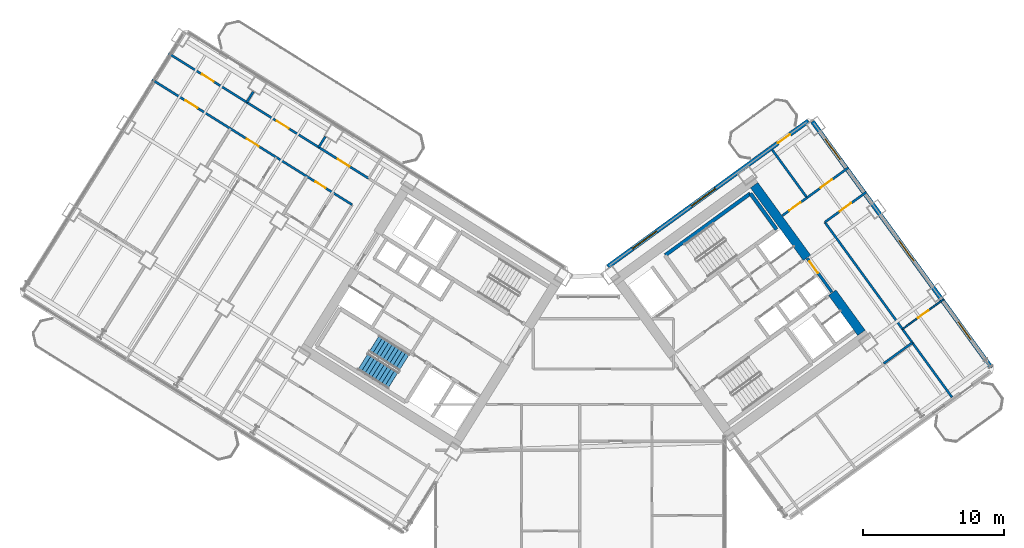
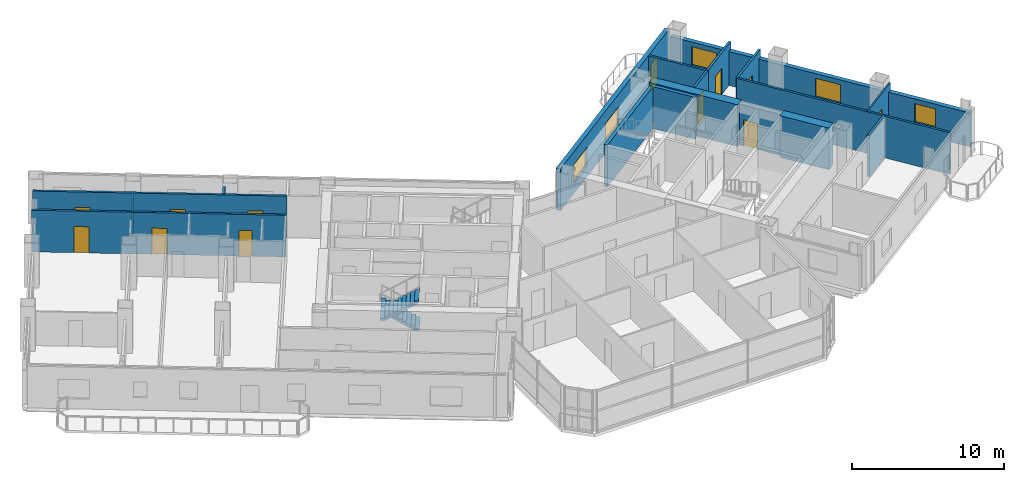
# One storey, part 19 of 28: 18 walls, 12 doors, 5 windows, 2 stair flights, 17 openings, 1 element without a shape of its own.
"""IFC4 building model written with IfcOpenShell, lengths in metres."""

from ifc_helpers import new_model, si_unit, direction, frame, frame_2d, origin, place, context, subcontext, project, spatial, polyline, rectangle, outline, extrude, source, transform, mapped, material, layer, layer_set, type_object, element, fill, aggregate, save


model = new_model("IFC4")

# Units and contexts
model_context = context("Model", 3, precision=1e-05, world=origin(), true_north=direction((0.0, 1.0)))
body_context = subcontext(model_context, "Body", "Model", "MODEL_VIEW")
ifc_project = project(units=[si_unit("LENGTHUNIT", "METRE"), si_unit("AREAUNIT", "SQUARE_METRE"), si_unit("VOLUMEUNIT", "CUBIC_METRE"), si_unit("PLANEANGLEUNIT", "RADIAN"), si_unit("MASSUNIT", "GRAM", prefix="KILO")], contexts=[model_context])

# Site, building, storey
site_placement = place(None, origin())
site = spatial("IfcSite", under=ifc_project, at=site_placement, CompositionType="ELEMENT")
building_placement = place(site_placement, origin())
building = spatial("IfcBuilding", under=site, at=building_placement, Name="Tlacorven Tower", CompositionType="ELEMENT")
storey_placement = place(building_placement, frame((0.0, 0.0, 34.800048828125)))
storey = spatial("IfcBuildingStorey", under=building, at=storey_placement, Name="L08", CompositionType="ELEMENT", Elevation=34.800048828125)

# Walls
ifc_material_1 = material(Name="Concrete C60/75", Category="concrete")
ifc_layer_1 = layer(ifc_material_1, 0.64990234375)
ifc_layer_set_1 = layer_set([ifc_layer_1], Name="Concrete C60/75")
wall_type_1 = type_object("IfcWallType", Name="WL-COR-650", PredefinedType="SHEAR", material=ifc_layer_set_1)
wall_1_placement = place(storey_placement, frame((61.9287109375, 20.494384765625, 0.0), z_axis=(0.0, 0.0, 1.0), x_axis=(-0.58782982593, 0.808984607855, 0.0)))
element("IfcWall", 1, at=wall_1_placement, inside=storey, type_object=wall_type_1, Name="L08 E core end wall E2.1", PredefinedType="SHEAR", context=body_context, shape_type="SweptSolid", body=[
    extrude(rectangle(XDim=3.52490234375, YDim=0.64990234375, at=frame_2d((1.762451171875, 0.0))), origin(), (0.0, 0.0, 1.0), 3.349853515625),
])
wall_2_placement = place(storey_placement, frame((58.06396484375, 25.8134765625, 0.0), z_axis=(0.0, 0.0, 1.0), x_axis=(-0.58777996584, 0.809020835181, 0.0)))
element("IfcWall", 2, at=wall_2_placement, inside=storey, type_object=wall_type_1, Name="L08 E core end wall E2.2", PredefinedType="SHEAR", context=body_context, shape_type="SweptSolid", body=[
    extrude(rectangle(XDim=6.375, YDim=0.64990234375, at=frame_2d((3.1875, 0.0))), origin(), (0.0, 0.0, 1.0), 3.349853515625),
])

# Wall, openings, doors
ifc_material_2 = material(Name="Gypsum plasterboard acoustic partition", Category="gypsum")
ifc_layer_2 = layer(ifc_material_2, 0.159912109375)
ifc_layer_set_2 = layer_set([ifc_layer_2], Name="Gypsum plasterboard acoustic partition")
wall_type_2 = type_object("IfcWallType", Name="WL-DEM-160", PredefinedType="PARTITIONING", material=ifc_layer_set_2)
wall_3_placement = place(storey_placement, frame((26.97265625, 31.447265625, 0.0), z_axis=(0.0, 0.0, 1.0), x_axis=(-0.848048310262, 0.529918921593, 0.0)))
wall_3 = element("IfcWall", 3, at=wall_3_placement, inside=storey, type_object=wall_type_2, Name="L08 Wing W Corridor South Wall", PredefinedType="PARTITIONING", context=body_context, shape_type="SweptSolid", body=[
    extrude(rectangle(XDim=16.72998046875, YDim=0.159912109375, at=frame_2d((8.364990234375, 0.0))), origin(), (0.0, 0.0, 1.0), 3.33984375),
])
opening_1_placement = place(wall_3_placement, frame((1.58837890625, 0.0, 0.0)))
opening_1 = element("IfcOpeningElement", 4, at=opening_1_placement, cuts=wall_3, Name="Opening D11", PredefinedType="OPENING", context=body_context, shape_type="SweptSolid", body=[
    extrude(rectangle(XDim=1.0, YDim=2.10009765625, at=frame_2d((0.5, 1.050048828125))), frame((0.0, 0.08984375, 0.0), z_axis=(0.0, -1.0, 0.0), x_axis=(1.0, 0.0, 0.0)), (0.0, 0.0, 1.0), 0.179931640625),
])
opening_2_placement = place(wall_3_placement, frame((6.68505859375, 0.0, 0.0)))
opening_2 = element("IfcOpeningElement", 5, at=opening_2_placement, cuts=wall_3, Name="Opening D11", PredefinedType="OPENING", context=body_context, shape_type="SweptSolid", body=[
    extrude(rectangle(XDim=1.0, YDim=2.10009765625, at=frame_2d((0.5, 1.050048828125))), frame((0.0, 0.08984375, 0.0), z_axis=(0.0, -1.0, 0.0), x_axis=(1.0, 0.0, 0.0)), (0.0, 0.0, 1.0), 0.179931640625),
])
opening_3_placement = place(wall_3_placement, frame((12.951416015625, 0.0, 0.0)))
opening_3 = element("IfcOpeningElement", 6, at=opening_3_placement, cuts=wall_3, Name="Opening D11", PredefinedType="OPENING", context=body_context, shape_type="SweptSolid", body=[
    extrude(rectangle(XDim=1.0, YDim=2.10009765625, at=frame_2d((0.5, 1.050048828125))), frame((0.0, 0.08984375, 0.0), z_axis=(0.0, -1.0, 0.0), x_axis=(1.0, 0.0, 0.0)), (0.0, 0.0, 1.0), 0.179931640625),
])
ifc_material_3 = material(Name="Fire-rated steel door assembly", Category="steel")
door_type_1 = type_object("IfcDoorType", Name="DR-FLT-FD60-1000", OperationType="NOTDEFINED", PredefinedType="DOOR", material=ifc_material_3)
shared_shape_1 = source(origin(), body_context, "Body", "SweptSolid", [
    extrude(rectangle(XDim=1.0, YDim=2.10009765625, at=frame_2d((0.5, 1.050048828125))), frame((0.0, 0.02490234375, 0.0), z_axis=(0.0, -1.0, 0.0), x_axis=(1.0, 0.0, 0.0)), (0.0, 0.0, 1.0), 0.050048828125),
])
door_1_placement = place(opening_1_placement, frame((1.0, 0.0, 0.0), z_axis=(0.0, 0.0, 1.0), x_axis=(-1.0, 0.0, 0.0)))
door_1 = element("IfcDoor", 7, at=door_1_placement, inside=storey, type_object=door_type_1, Name="L08 door 032", OperationType="SINGLE_SWING_RIGHT", OverallHeight=2.10009765625, OverallWidth=1.0, PredefinedType="DOOR", context=body_context, shape_type="MappedRepresentation", body=[
    mapped(shared_shape_1, transform((0.0, 0.0, 0.0), scale=1.0)),
])
fill(opening_1, door_1)
door_2_placement = place(opening_2_placement, frame((1.0, 0.0, 0.0), z_axis=(0.0, 0.0, 1.0), x_axis=(-1.0, 0.0, 0.0)))
door_2 = element("IfcDoor", 8, at=door_2_placement, inside=storey, type_object=door_type_1, Name="L08 door 033", OperationType="SINGLE_SWING_LEFT", OverallHeight=2.10009765625, OverallWidth=1.0, PredefinedType="DOOR", context=body_context, shape_type="MappedRepresentation", body=[
    mapped(shared_shape_1, transform((0.0, 0.0, 0.0), scale=1.0)),
])
fill(opening_2, door_2)
door_3_placement = place(opening_3_placement, frame((1.0, 0.0, 0.0), z_axis=(0.0, 0.0, 1.0), x_axis=(-1.0, 0.0, 0.0)))
door_3 = element("IfcDoor", 9, at=door_3_placement, inside=storey, type_object=door_type_1, Name="L08 door 034", OperationType="SINGLE_SWING_RIGHT", OverallHeight=2.10009765625, OverallWidth=1.0, PredefinedType="DOOR", context=body_context, shape_type="MappedRepresentation", body=[
    mapped(shared_shape_1, transform((0.0, 0.0, 0.0), scale=1.0)),
])
fill(opening_3, door_3)

wall_4_placement = place(storey_placement, frame((25.806884765625, 29.58154296875, 0.0), z_axis=(0.0, 0.0, 1.0), x_axis=(-0.848052408131, 0.529912363569, 0.0)))
wall_4 = element("IfcWall", 10, at=wall_4_placement, inside=storey, type_object=wall_type_2, Name="L08 Wing W Corridor North Wall", PredefinedType="PARTITIONING", context=body_context, shape_type="SweptSolid", body=[
    extrude(rectangle(XDim=16.72998046875, YDim=0.159912109375, at=frame_2d((8.364990234375, 0.0))), origin(), (0.0, 0.0, 1.0), 3.33984375),
])
opening_4_placement = place(wall_4_placement, frame((2.219970703125, 0.0, 0.0)))
opening_4 = element("IfcOpeningElement", 11, at=opening_4_placement, cuts=wall_4, Name="Opening D19", PredefinedType="OPENING", context=body_context, shape_type="SweptSolid", body=[
    extrude(rectangle(XDim=0.860107421875, YDim=2.050048828125, at=frame_2d((0.43017578125, 1.02490234375))), frame((0.0, 0.08984375, 0.0), z_axis=(0.0, -1.0, 0.0), x_axis=(1.0, 0.0, 0.0)), (0.0, 0.0, 1.0), 0.179931640625),
])
opening_5_placement = place(wall_4_placement, frame((7.820068359375, 0.0, 0.0)))
opening_5 = element("IfcOpeningElement", 12, at=opening_5_placement, cuts=wall_4, Name="Opening D11", PredefinedType="OPENING", context=body_context, shape_type="SweptSolid", body=[
    extrude(rectangle(XDim=1.0, YDim=2.10009765625, at=frame_2d((0.5, 1.050048828125))), frame((0.0, 0.08984375, 0.0), z_axis=(0.0, -1.0, 0.0), x_axis=(1.0, 0.0, 0.0)), (0.0, 0.0, 1.0), 0.179931640625),
])
opening_6_placement = place(wall_4_placement, frame((12.949951171875, 0.0, 0.0)))
opening_6 = element("IfcOpeningElement", 13, at=opening_6_placement, cuts=wall_4, Name="Opening D11", PredefinedType="OPENING", context=body_context, shape_type="SweptSolid", body=[
    extrude(rectangle(XDim=1.0, YDim=2.10009765625, at=frame_2d((0.5, 1.050048828125))), frame((0.0, 0.08984375, 0.0), z_axis=(0.0, -1.0, 0.0), x_axis=(1.0, 0.0, 0.0)), (0.0, 0.0, 1.0), 0.179931640625),
])
door_type_2 = type_object("IfcDoorType", Name="DR-RSR-FD60-0860", OperationType="NOTDEFINED", PredefinedType="DOOR", material=ifc_material_3)
shared_shape_2 = source(origin(), body_context, "Body", "SweptSolid", [
    extrude(rectangle(XDim=0.860107421875, YDim=2.050048828125, at=frame_2d((0.43017578125, 1.02490234375))), frame((0.0, 0.02490234375, 0.0), z_axis=(0.0, -1.0, 0.0), x_axis=(1.0, 0.0, 0.0)), (0.0, 0.0, 1.0), 0.050048828125),
])
door_4_placement = place(opening_4_placement, origin())
door_4 = element("IfcDoor", 14, at=door_4_placement, inside=storey, type_object=door_type_2, Name="L08 door 023", OperationType="SINGLE_SWING_LEFT", OverallHeight=2.050048828125, OverallWidth=0.860107421875, PredefinedType="DOOR", context=body_context, shape_type="MappedRepresentation", body=[
    mapped(shared_shape_2, transform((0.0, 0.0, 0.0), scale=1.0)),
])
fill(opening_4, door_4)
door_5_placement = place(opening_5_placement, origin())
door_5 = element("IfcDoor", 15, at=door_5_placement, inside=storey, type_object=door_type_1, Name="L08 door 027", OperationType="SINGLE_SWING_LEFT", OverallHeight=2.10009765625, OverallWidth=1.0, PredefinedType="DOOR", context=body_context, shape_type="MappedRepresentation", body=[
    mapped(shared_shape_1, transform((0.0, 0.0, 0.0), scale=1.0)),
])
fill(opening_5, door_5)
door_6_placement = place(opening_6_placement, origin())
door_6 = element("IfcDoor", 16, at=door_6_placement, inside=storey, type_object=door_type_1, Name="L08 door 030", OperationType="SINGLE_SWING_RIGHT", OverallHeight=2.10009765625, OverallWidth=1.0, PredefinedType="DOOR", context=body_context, shape_type="MappedRepresentation", body=[
    mapped(shared_shape_1, transform((0.0, 0.0, 0.0), scale=1.0)),
])
fill(opening_6, door_6)

# Walls
wall_5_placement = place(storey_placement, frame((23.90087890625, 34.413818359375, 0.0), z_axis=(0.0, 0.0, 1.0), x_axis=(-0.529776512202, -0.848137280821, 0.0)))
element("IfcWall", 17, at=wall_5_placement, inside=storey, type_object=wall_type_2, Name="L08 partition 64", PredefinedType="PARTITIONING", context=body_context, shape_type="SweptSolid", body=[
    extrude(rectangle(XDim=0.887939453125, YDim=0.159912109375, at=frame_2d((0.44384765625, 0.0))), origin(), (0.0, 0.0, 1.0), 3.33984375),
])
wall_6_placement = place(storey_placement, frame((18.799072265625, 37.601806640625, 0.0), z_axis=(0.0, 0.0, 1.0), x_axis=(-0.529974231203, -0.848013746505, 0.0)))
element("IfcWall", 18, at=wall_6_placement, inside=storey, type_object=wall_type_2, Name="L08 partition 65", PredefinedType="PARTITIONING", context=body_context, shape_type="SweptSolid", body=[
    extrude(rectangle(XDim=0.88818359375, YDim=0.159912109375, at=frame_2d((0.444091796875, 0.0))), origin(), (0.0, 0.0, 1.0), 2.724853515625),
])
wall_7_placement = place(storey_placement, frame((63.5068359375, 18.322021484375, 0.0), z_axis=(0.0, 0.0, 1.0), x_axis=(0.809034604122, 0.587761013791, 0.0)))
element("IfcWall", 19, at=wall_7_placement, inside=storey, type_object=wall_type_2, Name="L08 partition 87", PredefinedType="PARTITIONING", context=body_context, shape_type="SweptSolid", body=[
    extrude(rectangle(XDim=2.510009765625, YDim=0.159912109375, at=frame_2d((1.2548828125, 0.0))), origin(), (0.0, 0.0, 1.0), 3.33984375),
])

# Wall, opening, door
wall_8_placement = place(storey_placement, frame((56.32080078125, 28.8115234375, 0.0), z_axis=(0.0, 0.0, 1.0), x_axis=(0.809029482429, 0.587768063577, 0.0)))
wall_8 = element("IfcWall", 20, at=wall_8_placement, inside=storey, type_object=wall_type_2, Name="L08 partition 88", PredefinedType="PARTITIONING", context=body_context, shape_type="SweptSolid", body=[
    extrude(rectangle(XDim=2.158203125, YDim=0.159912109375, at=frame_2d((1.0791015625, 0.0))), origin(), (0.0, 0.0, 1.0), 3.33984375),
])
opening_7_placement = place(wall_8_placement, frame((0.597900390625, 0.0, 0.0)))
opening_7 = element("IfcOpeningElement", 21, at=opening_7_placement, cuts=wall_8, Name="Opening D11", PredefinedType="OPENING", context=body_context, shape_type="SweptSolid", body=[
    extrude(rectangle(XDim=1.0, YDim=2.10009765625, at=frame_2d((0.5, 1.050048828125))), frame((0.0, 0.08984375, 0.0), z_axis=(0.0, -1.0, 0.0), x_axis=(1.0, 0.0, 0.0)), (0.0, 0.0, 1.0), 0.179931640625),
])
door_7_placement = place(opening_7_placement, origin())
door_7 = element("IfcDoor", 22, at=door_7_placement, inside=storey, type_object=door_type_1, Name="L08 door 051", OperationType="SINGLE_SWING_LEFT", OverallHeight=2.10009765625, OverallWidth=1.0, PredefinedType="DOOR", context=body_context, shape_type="MappedRepresentation", body=[
    mapped(shared_shape_1, transform((0.0, 0.0, 0.0), scale=1.0)),
])
fill(opening_7, door_7)

# Walls
wall_9_placement = place(storey_placement, frame((68.35302734375, 15.922119140625, 0.0), z_axis=(0.0, 0.0, 1.0), x_axis=(-0.587782002009, 0.809019355834, 0.0)))
element("IfcWall", 23, at=wall_9_placement, inside=storey, type_object=wall_type_2, Name="L08 partition 89", PredefinedType="PARTITIONING", context=body_context, shape_type="SweptSolid", body=[
    extrude(rectangle(XDim=15.35009765625, YDim=0.159912109375, at=frame_2d((7.675048828125, 0.0))), origin(), (0.0, 0.0, 1.0), 3.33984375),
])
wall_10_placement = place(storey_placement, frame((58.06689453125, 30.080078125, 0.0), z_axis=(0.0, 0.0, 1.0), x_axis=(-0.587812175236, 0.808997433027, 0.0)))
element("IfcWall", 24, at=wall_10_placement, inside=storey, type_object=wall_type_2, Name="L08 partition 90", PredefinedType="PARTITIONING", context=body_context, shape_type="SweptSolid", body=[
    extrude(rectangle(XDim=4.199951171875, YDim=0.159912109375, at=frame_2d((2.10009765625, 0.0))), origin(), (0.0, 0.0, 1.0), 3.33984375),
])

# Wall, opening, door
wall_11_placement = place(storey_placement, frame((59.33056640625, 28.340576171875, 0.0), z_axis=(0.0, 0.0, 1.0), x_axis=(0.809003564202, 0.587803736896, 0.0)))
wall_11 = element("IfcWall", 25, at=wall_11_placement, inside=storey, type_object=wall_type_2, Name="L08 partition 92", PredefinedType="PARTITIONING", context=body_context, shape_type="SweptSolid", body=[
    extrude(rectangle(XDim=3.630126953125, YDim=0.159912109375, at=frame_2d((1.81494140625, 0.0))), origin(), (0.0, 0.0, 1.0), 3.33984375),
])
opening_8_placement = place(wall_11_placement, frame((1.304931640625, 0.0, 0.0)))
opening_8 = element("IfcOpeningElement", 26, at=opening_8_placement, cuts=wall_11, Name="Opening D11", PredefinedType="OPENING", context=body_context, shape_type="SweptSolid", body=[
    extrude(rectangle(XDim=1.0, YDim=2.10009765625, at=frame_2d((0.5, 1.050048828125))), frame((0.0, 0.08984375, 0.0), z_axis=(0.0, -1.0, 0.0), x_axis=(1.0, 0.0, 0.0)), (0.0, 0.0, 1.0), 0.179931640625),
])
door_8_placement = place(opening_8_placement, origin())
door_8 = element("IfcDoor", 27, at=door_8_placement, inside=storey, type_object=door_type_1, Name="L08 door 054", OperationType="SINGLE_SWING_RIGHT", OverallHeight=2.10009765625, OverallWidth=1.0, PredefinedType="DOOR", context=body_context, shape_type="MappedRepresentation", body=[
    mapped(shared_shape_1, transform((0.0, 0.0, 0.0), scale=1.0)),
])
fill(opening_8, door_8)

wall_12_placement = place(storey_placement, frame((58.06689453125, 30.080078125, 0.0), z_axis=(0.0, 0.0, 1.0), x_axis=(0.809012309495, 0.587791700422, 0.0)))
wall_12 = element("IfcWall", 28, at=wall_12_placement, inside=storey, type_object=wall_type_2, Name="L08 partition 93", PredefinedType="PARTITIONING", context=body_context, shape_type="SweptSolid", body=[
    extrude(rectangle(XDim=3.6298828125, YDim=0.159912109375, at=frame_2d((1.81494140625, 0.0))), origin(), (0.0, 0.0, 1.0), 3.33984375),
])
opening_9_placement = place(wall_12_placement, frame((1.199951171875, 0.0, 0.0)))
opening_9 = element("IfcOpeningElement", 29, at=opening_9_placement, cuts=wall_12, Name="Opening D11", PredefinedType="OPENING", context=body_context, shape_type="SweptSolid", body=[
    extrude(rectangle(XDim=1.0, YDim=2.10009765625, at=frame_2d((0.5, 1.050048828125))), frame((0.0, 0.08984375, 0.0), z_axis=(0.0, -1.0, 0.0), x_axis=(1.0, 0.0, 0.0)), (0.0, 0.0, 1.0), 0.179931640625),
])
door_9_placement = place(opening_9_placement, origin())
door_9 = element("IfcDoor", 30, at=door_9_placement, inside=storey, type_object=door_type_1, Name="L08 door 053", OperationType="SINGLE_SWING_LEFT", OverallHeight=2.10009765625, OverallWidth=1.0, PredefinedType="DOOR", context=body_context, shape_type="MappedRepresentation", body=[
    mapped(shared_shape_1, transform((0.0, 0.0, 0.0), scale=1.0)),
])
fill(opening_9, door_9)

# Wall, openings, door, windows
ifc_material_4 = material(Name="Precast concrete C45/55", Category="concrete")
ifc_layer_3 = layer(ifc_material_4, 0.320068359375)
ifc_layer_set_3 = layer_set([ifc_layer_3], Name="Precast concrete C45/55")
wall_type_3 = type_object("IfcWallType", Name="WL-EXT-320", PredefinedType="STANDARD", material=ifc_layer_set_3)
wall_13_placement = place(storey_placement, frame((43.93798828125, 25.191650390625, 0.0), z_axis=(0.0, 0.0, 1.0), x_axis=(0.809016324578, 0.587786174187, 0.0)))
wall_13 = element("IfcWall", 31, at=wall_13_placement, inside=storey, type_object=wall_type_3, Name="L08 Masonry-Frame Recessed Facade Wall 4", PredefinedType="STANDARD", context=body_context, shape_type="SweptSolid", body=[
    extrude(rectangle(XDim=17.58740234375, YDim=0.320068359375, at=frame_2d((8.793701171875, 0.0))), origin(), (0.0, 0.0, 1.0), 3.349853515625),
])
opening_10_placement = place(wall_13_placement, frame((14.913818359375, 0.0, 0.0)))
opening_10 = element("IfcOpeningElement", 32, at=opening_10_placement, cuts=wall_13, Name="Opening D06", PredefinedType="OPENING", context=body_context, shape_type="SweptSolid", body=[
    extrude(rectangle(XDim=1.050048828125, YDim=2.14990234375, at=frame_2d((0.52490234375, 1.074951171875))), frame((0.0, 0.169921875, 0.0), z_axis=(0.0, -1.0, 0.0), x_axis=(1.0, 0.0, 0.0)), (0.0, 0.0, 1.0), 0.340087890625),
])
opening_11_placement = place(wall_13_placement, frame((2.168701171875, 0.0, 0.800048828125)))
opening_11 = element("IfcOpeningElement", 33, at=opening_11_placement, cuts=wall_13, Name="Opening WN04", PredefinedType="OPENING", context=body_context, shape_type="SweptSolid", body=[
    extrude(rectangle(XDim=2.10009765625, YDim=1.550048828125, at=frame_2d((1.050048828125, 0.77490234375))), frame((0.0, 0.169921875, 0.0), z_axis=(0.0, -1.0, 0.0), x_axis=(1.0, 0.0, 0.0)), (0.0, 0.0, 1.0), 0.340087890625),
])
opening_12_placement = place(wall_13_placement, frame((7.318603515625, 0.0, 0.800048828125)))
opening_12 = element("IfcOpeningElement", 34, at=opening_12_placement, cuts=wall_13, Name="Opening WN04", PredefinedType="OPENING", context=body_context, shape_type="SweptSolid", body=[
    extrude(rectangle(XDim=2.10009765625, YDim=1.550048828125, at=frame_2d((1.050048828125, 0.77490234375))), frame((0.0, 0.169921875, 0.0), z_axis=(0.0, -1.0, 0.0), x_axis=(1.0, 0.0, 0.0)), (0.0, 0.0, 1.0), 0.340087890625),
])
ifc_material_5 = material(Name="Powder-coated aluminium and timber door", Category="wood")
door_type_3 = type_object("IfcDoorType", Name="DR-EXT-BALC-1050", OperationType="NOTDEFINED", PredefinedType="DOOR", material=ifc_material_5)
shared_shape_3 = source(origin(), body_context, "Body", "SweptSolid", [
    extrude(rectangle(XDim=1.050048828125, YDim=2.14990234375, at=frame_2d((0.52490234375, 1.074951171875))), frame((0.0, 0.02490234375, 0.0), z_axis=(0.0, -1.0, 0.0), x_axis=(1.0, 0.0, 0.0)), (0.0, 0.0, 1.0), 0.050048828125),
])
door_10_placement = place(opening_10_placement, origin())
door_10 = element("IfcDoor", 35, at=door_10_placement, inside=storey, type_object=door_type_3, Name="L08 Outdoor Access Door BAL-L08-E-IN", OperationType="SINGLE_SWING_RIGHT", OverallHeight=2.14990234375, OverallWidth=1.050048828125, PredefinedType="DOOR", context=body_context, shape_type="MappedRepresentation", body=[
    mapped(shared_shape_3, transform((0.0, 0.0, 0.0), scale=1.0)),
])
fill(opening_10, door_10)
ifc_material_6 = material(Name="Dark solar low-E double glazing in anodised aluminium frame", Category="aluminium")
window_type_1 = type_object("IfcWindowType", Name="WN-APT-2100X1750", PartitioningType="SINGLE_PANEL", PredefinedType="WINDOW", material=ifc_material_6)
shared_shape_4 = source(origin(), body_context, "Body", "SweptSolid", [
    extrude(rectangle(XDim=2.10009765625, YDim=1.550048828125, at=frame_2d((1.050048828125, 0.77490234375))), frame((0.0, 0.030029296875, 0.0), z_axis=(0.0, -1.0, 0.0), x_axis=(1.0, 0.0, 0.0)), (0.0, 0.0, 1.0), 0.06005859375),
])
window_1_placement = place(opening_11_placement, origin())
window_1 = element("IfcWindow", 36, at=window_1_placement, inside=storey, type_object=window_type_1, Name="L08 Recessed Masonry-Frame Window L08-04.1", OverallHeight=1.550048828125, OverallWidth=2.10009765625, PartitioningType="SINGLE_PANEL", PredefinedType="WINDOW", context=body_context, shape_type="MappedRepresentation", body=[
    mapped(shared_shape_4, transform((0.0, 0.0, 0.0), scale=1.0)),
])
fill(opening_11, window_1)
window_2_placement = place(opening_12_placement, origin())
window_2 = element("IfcWindow", 37, at=window_2_placement, inside=storey, type_object=window_type_1, Name="L08 Recessed Masonry-Frame Window L08-04.2", OverallHeight=1.550048828125, OverallWidth=2.10009765625, PartitioningType="SINGLE_PANEL", PredefinedType="WINDOW", context=body_context, shape_type="MappedRepresentation", body=[
    mapped(shared_shape_4, transform((0.0, 0.0, 0.0), scale=1.0)),
])
fill(opening_12, window_2)

# Wall, openings, windows
wall_14_placement = place(storey_placement, frame((58.45458984375, 35.483642578125, 0.0), z_axis=(0.0, 0.0, 1.0), x_axis=(0.587783625747, -0.809018176127, 0.0)))
wall_14 = element("IfcWall", 38, at=wall_14_placement, inside=storey, type_object=wall_type_3, Name="L08 Masonry-Frame Recessed Facade Wall 5", PredefinedType="STANDARD", context=body_context, shape_type="SweptSolid", body=[
    extrude(rectangle(XDim=21.58740234375, YDim=0.320068359375, at=frame_2d((10.793701171875, 0.0))), origin(), (0.0, 0.0, 1.0), 2.724853515625),
])
opening_13_placement = place(wall_14_placement, frame((1.52880859375, 0.0, 0.85009765625)))
opening_13 = element("IfcOpeningElement", 39, at=opening_13_placement, cuts=wall_14, Name="Opening WN01", PredefinedType="OPENING", context=body_context, shape_type="SweptSolid", body=[
    extrude(rectangle(XDim=1.800048828125, YDim=1.5, at=frame_2d((0.89990234375, 0.75))), frame((0.0, 0.169921875, 0.0), z_axis=(0.0, -1.0, 0.0), x_axis=(1.0, 0.0, 0.0)), (0.0, 0.0, 1.0), 0.340087890625),
])
opening_14_placement = place(wall_14_placement, frame((10.443603515625, 0.0, 0.85009765625)))
opening_14 = element("IfcOpeningElement", 40, at=opening_14_placement, cuts=wall_14, Name="Opening WN01", PredefinedType="OPENING", context=body_context, shape_type="SweptSolid", body=[
    extrude(rectangle(XDim=1.800048828125, YDim=1.5, at=frame_2d((0.89990234375, 0.75))), frame((0.0, 0.169921875, 0.0), z_axis=(0.0, -1.0, 0.0), x_axis=(1.0, 0.0, 0.0)), (0.0, 0.0, 1.0), 0.340087890625),
])
opening_15_placement = place(wall_14_placement, frame((17.5947265625, 0.0, 0.85009765625)))
opening_15 = element("IfcOpeningElement", 41, at=opening_15_placement, cuts=wall_14, Name="Opening WN02", PredefinedType="OPENING", context=body_context, shape_type="SweptSolid", body=[
    extrude(rectangle(XDim=1.5, YDim=1.5, at=frame_2d((0.75, 0.75))), frame((0.0, 0.169921875, 0.0), z_axis=(0.0, -1.0, 0.0), x_axis=(1.0, 0.0, 0.0)), (0.0, 0.0, 1.0), 0.340087890625),
])
window_type_2 = type_object("IfcWindowType", Name="WN-APT-1800X1650", PartitioningType="SINGLE_PANEL", PredefinedType="WINDOW", material=ifc_material_6)
shared_shape_5 = source(origin(), body_context, "Body", "SweptSolid", [
    extrude(rectangle(XDim=1.800048828125, YDim=1.5, at=frame_2d((0.89990234375, 0.75))), frame((0.0, 0.030029296875, 0.0), z_axis=(0.0, -1.0, 0.0), x_axis=(1.0, 0.0, 0.0)), (0.0, 0.0, 1.0), 0.06005859375),
])
window_3_placement = place(opening_13_placement, origin())
window_3 = element("IfcWindow", 42, at=window_3_placement, inside=storey, type_object=window_type_2, Name="L08 Recessed Masonry-Frame Window L08-05.1", OverallHeight=1.5, OverallWidth=1.800048828125, PartitioningType="SINGLE_PANEL", PredefinedType="WINDOW", context=body_context, shape_type="MappedRepresentation", body=[
    mapped(shared_shape_5, transform((0.0, 0.0, 0.0), scale=1.0)),
])
fill(opening_13, window_3)
window_4_placement = place(opening_14_placement, origin())
window_4 = element("IfcWindow", 43, at=window_4_placement, inside=storey, type_object=window_type_2, Name="L08 Recessed Masonry-Frame Window L08-05.2", OverallHeight=1.5, OverallWidth=1.800048828125, PartitioningType="SINGLE_PANEL", PredefinedType="WINDOW", context=body_context, shape_type="MappedRepresentation", body=[
    mapped(shared_shape_5, transform((0.0, 0.0, 0.0), scale=1.0)),
])
fill(opening_14, window_4)
window_type_3 = type_object("IfcWindowType", Name="WN-APT-1500X1650", PartitioningType="SINGLE_PANEL", PredefinedType="WINDOW", material=ifc_material_6)
shared_shape_6 = source(origin(), body_context, "Body", "SweptSolid", [
    extrude(rectangle(XDim=1.5, YDim=1.5, at=frame_2d((0.75, 0.75))), frame((0.0, 0.030029296875, 0.0), z_axis=(0.0, -1.0, 0.0), x_axis=(1.0, 0.0, 0.0)), (0.0, 0.0, 1.0), 0.06005859375),
])
window_5_placement = place(opening_15_placement, origin())
window_5 = element("IfcWindow", 44, at=window_5_placement, inside=storey, type_object=window_type_3, Name="L08 Recessed Masonry-Frame Window L08-05.3", OverallHeight=1.5, OverallWidth=1.5, PartitioningType="SINGLE_PANEL", PredefinedType="WINDOW", context=body_context, shape_type="MappedRepresentation", body=[
    mapped(shared_shape_6, transform((0.0, 0.0, 0.0), scale=1.0)),
])
fill(opening_15, window_5)

# Wall, opening, door
ifc_material_7 = material(Name="Gypsum plasterboard partition", Category="gypsum")
ifc_layer_4 = layer(ifc_material_7, 0.110107421875)
ifc_layer_set_4 = layer_set([ifc_layer_4], Name="Gypsum plasterboard partition")
wall_type_4 = type_object("IfcWallType", Name="WL-INT-110", PredefinedType="PARTITIONING", material=ifc_layer_set_4)
wall_15_placement = place(storey_placement, frame((64.83935546875, 20.758544921875, 0.0), z_axis=(0.0, 0.0, 1.0), x_axis=(0.809013833588, 0.587789602718, 0.0)))
wall_15 = element("IfcWall", 45, at=wall_15_placement, inside=storey, type_object=wall_type_4, Name="L08 partition 94", PredefinedType="PARTITIONING", context=body_context, shape_type="SweptSolid", body=[
    extrude(rectangle(XDim=3.60986328125, YDim=0.110107421875, at=frame_2d((1.804931640625, 0.0))), origin(), (0.0, 0.0, 1.0), 3.33984375),
])
opening_16_placement = place(wall_15_placement, frame((1.344970703125, 0.0, 0.0)))
opening_16 = element("IfcOpeningElement", 46, at=opening_16_placement, cuts=wall_15, Name="Opening D12", PredefinedType="OPENING", context=body_context, shape_type="SweptSolid", body=[
    extrude(rectangle(XDim=0.919921875, YDim=2.080078125, at=frame_2d((0.4599609375, 1.0400390625))), frame((0.0, 0.06494140625, 0.0), z_axis=(0.0, -1.0, 0.0), x_axis=(1.0, 0.0, 0.0)), (0.0, 0.0, 1.0), 0.130126953125),
])
door_type_4 = type_object("IfcDoorType", Name="DR-INT-ROOM-0920", OperationType="NOTDEFINED", PredefinedType="DOOR", material=ifc_material_5)
shared_shape_7 = source(origin(), body_context, "Body", "SweptSolid", [
    extrude(rectangle(XDim=0.919921875, YDim=2.080078125, at=frame_2d((0.4599609375, 1.0400390625))), frame((0.0, 0.02490234375, 0.0), z_axis=(0.0, -1.0, 0.0), x_axis=(1.0, 0.0, 0.0)), (0.0, 0.0, 1.0), 0.050048828125),
])
door_11_placement = place(opening_16_placement, origin())
door_11 = element("IfcDoor", 47, at=door_11_placement, inside=storey, type_object=door_type_4, Name="L08 door 055", OperationType="SINGLE_SWING_LEFT", OverallHeight=2.080078125, OverallWidth=0.919921875, PredefinedType="DOOR", context=body_context, shape_type="MappedRepresentation", body=[
    mapped(shared_shape_7, transform((0.0, 0.0, 0.0), scale=1.0)),
])
fill(opening_16, door_11)

ifc_material_8 = material(Name="Concrete C40/50", Category="concrete")
ifc_layer_5 = layer(ifc_material_8, 0.199951171875)
ifc_layer_set_5 = layer_set([ifc_layer_5], Name="Concrete C40/50")
wall_type_5 = type_object("IfcWallType", Name="WL-SHF-200", PredefinedType="STANDARD", material=ifc_layer_set_5)
wall_16_placement = place(storey_placement, frame((59.827392578125, 23.386474609375, 0.0), z_axis=(0.0, 0.0, 1.0), x_axis=(-0.587803840107, 0.809003489211, 0.0)))
wall_16 = element("IfcWall", 48, at=wall_16_placement, inside=storey, type_object=wall_type_5, Name="L08 partition 86", PredefinedType="STANDARD", context=body_context, shape_type="SweptSolid", body=[
    extrude(rectangle(XDim=2.960205078125, YDim=0.199951171875, at=frame_2d((1.47998046875, 0.0))), origin(), (0.0, 0.0, 1.0), 3.33984375),
])
opening_17_placement = place(wall_16_placement, frame((1.679931640625, 0.0, 0.0)))
opening_17 = element("IfcOpeningElement", 49, at=opening_17_placement, cuts=wall_16, Name="Opening D11", PredefinedType="OPENING", context=body_context, shape_type="SweptSolid", body=[
    extrude(rectangle(XDim=1.0, YDim=2.10009765625, at=frame_2d((0.5, 1.050048828125))), frame((0.0, 0.10986328125, 0.0), z_axis=(0.0, -1.0, 0.0), x_axis=(1.0, 0.0, 0.0)), (0.0, 0.0, 1.0), 0.219970703125),
])
door_12_placement = place(opening_17_placement, origin())
door_12 = element("IfcDoor", 50, at=door_12_placement, inside=storey, type_object=door_type_1, Name="L08 door 052", OperationType="SINGLE_SWING_RIGHT", OverallHeight=2.10009765625, OverallWidth=1.0, PredefinedType="DOOR", context=body_context, shape_type="MappedRepresentation", body=[
    mapped(shared_shape_1, transform((0.0, 0.0, 0.0), scale=1.0)),
])
fill(opening_17, door_12)

# Walls
ifc_material_9 = material(Name="Concrete C50/60", Category="concrete")
ifc_layer_6 = layer(ifc_material_9, 0.260009765625)
ifc_layer_set_6 = layer_set([ifc_layer_6], Name="Concrete C50/60")
wall_type_6 = type_object("IfcWallType", Name="WL-STW-260", PredefinedType="SHEAR", material=ifc_layer_set_6)
wall_17_placement = place(storey_placement, frame((48.005615234375, 25.996337890625, 0.0), z_axis=(0.0, 0.0, 1.0), x_axis=(0.80901903764, 0.587782439969, 0.0)))
element("IfcWall", 51, at=wall_17_placement, inside=storey, type_object=wall_type_6, Name="L08 Stair E1 Far Shear Wall", PredefinedType="SHEAR", context=body_context, shape_type="SweptSolid", body=[
    extrude(rectangle(XDim=7.4599609375, YDim=0.260009765625, at=frame_2d((3.72998046875, 0.0))), origin(), (0.0, 0.0, 1.0), 3.349853515625),
])
wall_18_placement = place(storey_placement, frame((55.906494140625, 27.83056640625, 0.0), z_axis=(0.0, 0.0, 1.0), x_axis=(-0.587804123638, 0.809003283204, 0.0)))
element("IfcWall", 52, at=wall_18_placement, inside=storey, type_object=wall_type_6, Name="L08 Stair E1 East Shear Wall", PredefinedType="SHEAR", context=body_context, shape_type="SweptSolid", body=[
    extrude(rectangle(XDim=3.159912109375, YDim=0.260009765625, at=frame_2d((1.580078125, 0.0))), origin(), (0.0, 0.0, 1.0), 3.349853515625),
])

# Stair, stair flights
stair_type = type_object("IfcStairType", Name="ST-CORE-DLG", PredefinedType="HALF_TURN_STAIR", material=ifc_material_8)
stair_placement = place(storey_placement, origin())
stair = element("IfcStair", 53, at=stair_placement, inside=storey, type_object=stair_type, Name="L08 Protected Exit Stair West 1", PredefinedType="HALF_TURN_STAIR")
stair_flight_type = type_object("IfcStairFlightType", Name="SFL-RC-1380", PredefinedType="STRAIGHT", material=ifc_material_8)
shared_shape_8 = source(origin(), body_context, "Body", "SweptSolid", [
    extrude(outline(polyline([(-0.0029296875, -0.0029296875), (-0.0029296875, 0.179931640625), (0.280029296875, 0.179931640625), (0.280029296875, 0.360107421875), (0.56005859375, 0.360107421875), (0.56005859375, 0.5400390625), (0.840087890625, 0.5400390625), (0.840087890625, 0.719970703125), (1.1201171875, 0.719970703125), (1.1201171875, 0.89990234375), (1.39990234375, 0.89990234375), (1.39990234375, 1.080078125), (1.679931640625, 1.080078125), (1.679931640625, 1.260009765625), (1.9599609375, 1.260009765625), (1.9599609375, 1.43994140625), (2.239990234375, 1.43994140625), (2.239990234375, 1.6201171875), (2.52001953125, 1.6201171875), (2.52001953125, 1.800048828125), (2.52294921875, 1.800048828125), (2.52294921875, 1.429931640625), (2.52001953125, 1.429931640625), (0.295654296875, 0.0), (0.295654296875, -0.0029296875), (-0.0029296875, -0.0029296875)])), frame((0.0, 0.68994140625, 0.0), z_axis=(0.0, -1.0, 0.0), x_axis=(1.0, 0.0, 0.0)), (0.0, 0.0, 1.0), 1.3798828125),
])
stair_flight_1_placement = place(storey_placement, frame((29.499755859375, 18.39453125, 0.0), z_axis=(0.0, 0.0, 1.0), x_axis=(-0.848048096156, 0.529919264233, 0.0)))
stair_flight_1 = element("IfcStairFlight", 54, at=stair_flight_1_placement, type_object=stair_flight_type, Name="ST-W1 flight 1", NumberOfRisers=10, NumberOfTreads=9, PredefinedType="STRAIGHT", RiserHeight=0.18, TreadLength=0.28, context=body_context, shape_type="MappedRepresentation", body=[
    mapped(shared_shape_8, transform((0.0, 0.0, 0.0), scale=1.0)),
])
stair_flight_2_placement = place(storey_placement, frame((26.56787109375, 18.4580078125, 1.800048828125), z_axis=(0.0, 0.0, 1.0), x_axis=(0.848048096156, -0.529919264233, 0.0)))
stair_flight_2 = element("IfcStairFlight", 55, at=stair_flight_2_placement, type_object=stair_flight_type, Name="ST-W1 flight 2", NumberOfRisers=10, NumberOfTreads=9, PredefinedType="STRAIGHT", RiserHeight=0.18, TreadLength=0.28, context=body_context, shape_type="MappedRepresentation", body=[
    mapped(shared_shape_8, transform((0.0, 0.0, 0.0), scale=1.0)),
])
aggregate(stair, [stair_flight_1, stair_flight_2])

save(model, "model.ifc")
